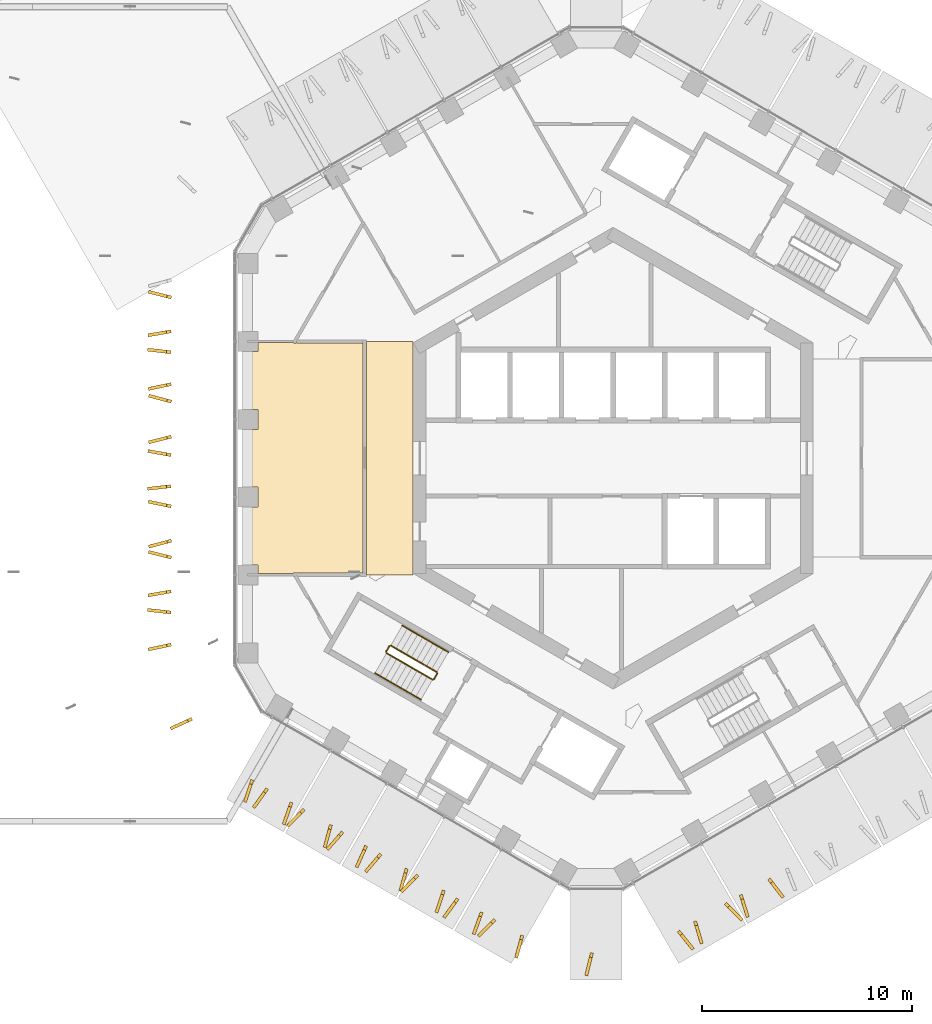
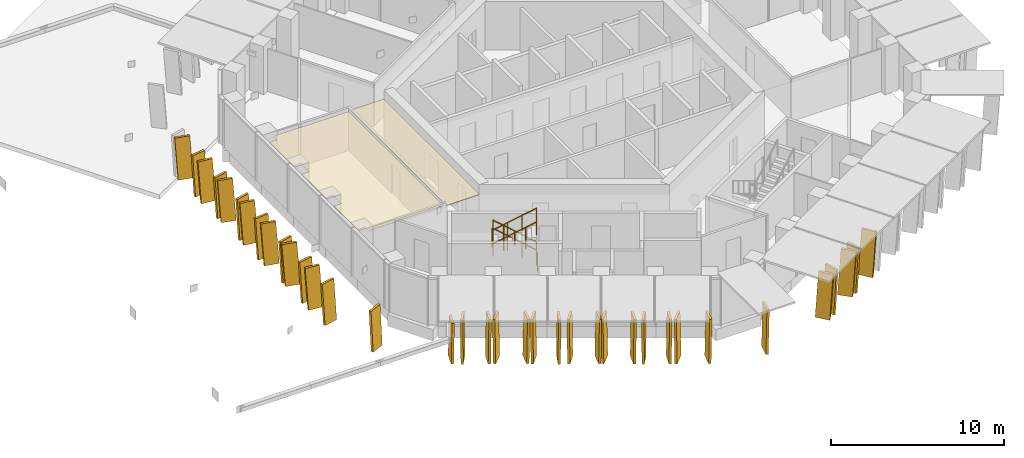
# One storey, part 20 of 23: 36 shading devices, 8 railings, 2 coverings.
"""IFC4 building model written with IfcOpenShell, lengths in metres."""

from ifc_helpers import new_model, si_unit, direction, frame, origin, origin_2d, place, context, subcontext, project, spatial, polyline, circle, outline, extrude, material, layer, layer_set, type_object, element, save


model = new_model("IFC4")

# Units and contexts
model_context = context("Model", 3, precision=1e-05, world=origin(), true_north=direction((0.0, 1.0)))
body_context = subcontext(model_context, "Body", "Model", "MODEL_VIEW")
ifc_project = project(units=[si_unit("LENGTHUNIT", "METRE"), si_unit("AREAUNIT", "SQUARE_METRE"), si_unit("VOLUMEUNIT", "CUBIC_METRE"), si_unit("PLANEANGLEUNIT", "RADIAN"), si_unit("MASSUNIT", "GRAM", prefix="KILO")], contexts=[model_context])

# Site, building, storey
site_placement = place(None, origin())
site = spatial("IfcSite", under=ifc_project, at=site_placement, CompositionType="ELEMENT")
building_placement = place(site_placement, origin())
building = spatial("IfcBuilding", under=site, at=building_placement, Name="Ayvan Gate Tower", CompositionType="ELEMENT")
storey_placement = place(building_placement, frame((0.0, 0.0, 198.699951171875)))
storey = spatial("IfcBuildingStorey", under=building, at=storey_placement, Name="L53", CompositionType="ELEMENT", Elevation=198.699951171875)

# Shading devices
ifc_material_1 = material(Name="Bronze anodised aluminium", Category="aluminium")
ifc_layer_1 = layer(ifc_material_1, 0.14990234375)
ifc_layer_set_1 = layer_set([ifc_layer_1], Name="Bronze anodised aluminium")
shading_device_type = type_object("IfcShadingDeviceType", Name="Bronze fin 900 x 150", PredefinedType="USERDEFINED", material=ifc_layer_set_1)
shading_device_1_placement = place(storey_placement, frame((-20.97607421875, 7.7099609375, 0.0), z_axis=(0.242503674275, 0.970150325552, 0.000560173768), x_axis=(-0.970150477769, 0.242503712313, 1.8422e-08)))
element("IfcShadingDevice", 1, at=shading_device_1_placement, inside=storey, type_object=shading_device_type, Name="Bronze fin FG19.3.18", ObjectType="FIN", PredefinedType="USERDEFINED", context=body_context, shape_type="SweptSolid", body=[
    extrude(outline(polyline([(0.0, 0.0), (0.9001529730922073, 0.0), (1.1141481386595276, 3.000000450167338), (0.2142320187113068, 3.0000004833280673), (0.0, 0.0)])), origin(), (0.0, 0.0, -1.0), 0.14990234375),
])
shading_device_2_placement = place(storey_placement, frame((-21.020263671875, 6.1025390625, 0.0), z_axis=(-0.170511019596, 0.985355645459, 0.000494123776), x_axis=(-0.985355765745, -0.170511040444, 6.6044e-08)))
element("IfcShadingDevice", 2, at=shading_device_2_placement, inside=storey, type_object=shading_device_type, Name="Bronze fin FG19.3.19", ObjectType="FIN", PredefinedType="USERDEFINED", context=body_context, shape_type="SweptSolid", body=[
    extrude(outline(polyline([(0.0, 0.0), (0.89991786758416, 0.0), (1.1139784263390768, 3.0000002926654967), (0.21410218742690018, 3.0000004115318175), (0.0, 0.0)])), origin(), (0.0, 0.0, -1.0), 0.14990234375),
])
shading_device_3_placement = place(storey_placement, frame((-21.005615234375, 5.106689453125, 0.0), z_axis=(0.115282998066, 0.993332562156, 0.000501316806), x_axis=(-0.993332686977, 0.115283012552, 0.0)))
element("IfcShadingDevice", 3, at=shading_device_3_placement, inside=storey, type_object=shading_device_type, Name="Bronze fin FG19.3.20", ObjectType="FIN", PredefinedType="USERDEFINED", context=body_context, shape_type="SweptSolid", body=[
    extrude(outline(polyline([(0.0, 0.0), (0.9000438427842659, 0.0), (1.114188859687679, 3.000000376977881), (0.21414501690341292, 3.000000376977881), (0.0, 0.0)])), origin(), (0.0, 0.0, -1.0), 0.14990234375),
])
shading_device_4_placement = place(storey_placement, frame((-21.016845703125, 3.59375, 0.0), z_axis=(-0.207917122728, 0.978146307313, 0.000521119944), x_axis=(-0.978146440136, -0.207917150924, -6.9136e-08)))
element("IfcShadingDevice", 4, at=shading_device_4_placement, inside=storey, type_object=shading_device_type, Name="Bronze fin FG19.3.21", ObjectType="FIN", PredefinedType="USERDEFINED", context=body_context, shape_type="SweptSolid", body=[
    extrude(outline(polyline([(0.0, 0.0), (0.9000147951025103, 0.0), (1.1140257435260539, 3.000000484367966), (0.21396018740036885, 3.0000003599182605), (0.0, 0.0)])), origin(), (0.0, 0.0, -1.0), 0.14990234375),
])
shading_device_5_placement = place(storey_placement, frame((-20.97216796875, 2.759765625, 0.0), z_axis=(0.256201924523, 0.966623142445, 0.000523793804), x_axis=(-0.966623275035, 0.256201959713, -8.6879e-08)))
element("IfcShadingDevice", 5, at=shading_device_5_placement, inside=storey, type_object=shading_device_type, Name="Bronze fin FG19.3.22", ObjectType="FIN", PredefinedType="USERDEFINED", context=body_context, shape_type="SweptSolid", body=[
    extrude(outline(polyline([(0.0, 0.0), (0.8999486281440824, -2.710505431213761e-20), (1.114177325268719, 3.000000508339138), (0.21405525442070075, 3.000000351949977), (0.0, 0.0)])), origin(), (0.0, 0.0, -1.0), 0.14990234375),
])
shading_device_6_placement = place(storey_placement, frame((-21.012451171875, 1.09716796875, 0.0), z_axis=(-0.24304616287, 0.970014596453, 0.000495361682), x_axis=(-0.970014715465, -0.243046192689, 0.0)))
element("IfcShadingDevice", 6, at=shading_device_6_placement, inside=storey, type_object=shading_device_type, Name="Bronze fin FG19.3.23", ObjectType="FIN", PredefinedType="USERDEFINED", context=body_context, shape_type="SweptSolid", body=[
    extrude(outline(polyline([(0.0, 0.0), (0.9000346706917827, -1.3552527156068805e-20), (1.1140897511676129, 3.000000368074862), (0.21405508047583013, 3.000000368074862), (0.0, 0.0)])), origin(), (0.0, 0.0, -1.0), 0.14990234375),
])
shading_device_7_placement = place(storey_placement, frame((-20.994140625, 0.222900390625, 0.0), z_axis=(0.172663253566, 0.984980791355, 0.000491455826), x_axis=(-0.984980910301, 0.172663274449, -6.5656e-08)))
element("IfcShadingDevice", 7, at=shading_device_7_placement, inside=storey, type_object=shading_device_type, Name="Bronze fin FG19.3.24", ObjectType="FIN", PredefinedType="USERDEFINED", context=body_context, shape_type="SweptSolid", body=[
    extrude(outline(polyline([(0.0, 0.0), (0.9000127419739727, 0.0), (1.1141347769899899, 3.000000435442827), (0.21416418913575583, 3.0000003172633174), (0.0, 0.0)])), origin(), (0.0, 0.0, -1.0), 0.14990234375),
])
shading_device_8_placement = place(storey_placement, frame((-21.02294921875, -1.255126953125, 0.0), z_axis=(-0.112024108168, 0.993705375962, 0.000474314204), x_axis=(-0.993705487741, -0.112024120766, -7.205e-09)))
element("IfcShadingDevice", 8, at=shading_device_8_placement, inside=storey, type_object=shading_device_type, Name="Bronze fin FG19.3.25", ObjectType="FIN", PredefinedType="USERDEFINED", context=body_context, shape_type="SweptSolid", body=[
    extrude(outline(polyline([(0.0, 0.0), (0.9001960129295483, 0.0), (1.1141057283484732, 3.0000003454884436), (0.21415231929776782, 3.0000003325178692), (0.0, 0.0)])), origin(), (0.0, 0.0, -1.0), 0.14990234375),
])
shading_device_9_placement = place(storey_placement, frame((-20.986328125, -2.2158203125, 0.0), z_axis=(0.205757528375, 0.978602878856, 0.000494986432), x_axis=(-0.978602998733, 0.20575755362, -7.9523e-08)))
element("IfcShadingDevice", 9, at=shading_device_9_placement, inside=storey, type_object=shading_device_type, Name="Bronze fin FG19.3.26", ObjectType="FIN", PredefinedType="USERDEFINED", context=body_context, shape_type="SweptSolid", body=[
    extrude(outline(polyline([(0.0, 0.0), (0.8999001463930243, -1.3552527156068805e-20), (1.1141089882047648, 3.0000004561147606), (0.21402015884174225, 3.0000003129741692), (0.0, 0.0)])), origin(), (0.0, 0.0, -1.0), 0.14990234375),
])
shading_device_10_placement = place(storey_placement, frame((-21.0107421875, -3.846923828125, 0.0), z_axis=(-0.255534620617, 0.96679977482, 0.000503064711), x_axis=(-0.966799897156, -0.255534652952, 0.0)))
element("IfcShadingDevice", 10, at=shading_device_10_placement, inside=storey, type_object=shading_device_type, Name="Bronze fin FG19.3.27", ObjectType="FIN", PredefinedType="USERDEFINED", context=body_context, shape_type="SweptSolid", body=[
    extrude(outline(polyline([(0.0, 0.0), (0.8999971866563695, 1.3552527156068805e-20), (1.114031777274746, 3.000000379611228), (0.21403459061837643, 3.000000379611228), (0.0, 0.0)])), origin(), (0.0, 0.0, -1.0), 0.14990234375),
])
shading_device_11_placement = place(storey_placement, frame((-20.9755859375, -4.649169921875, 0.0), z_axis=(0.244385953869, 0.969677896874, 0.000530910656), x_axis=(-0.969678033533, 0.244385988311, 0.0)))
element("IfcShadingDevice", 11, at=shading_device_11_placement, inside=storey, type_object=shading_device_type, Name="Bronze fin FG19.3.28", ObjectType="FIN", PredefinedType="USERDEFINED", context=body_context, shape_type="SweptSolid", body=[
    extrude(outline(polyline([(0.0, 0.0), (0.9000953968140175, 0.0), (1.1142062293675248, 3.000000422799277), (0.21411083255350719, 3.000000422799277), (0.0, 0.0)])), origin(), (0.0, 0.0, -1.0), 0.14990234375),
])
shading_device_12_placement = place(storey_placement, frame((-21.02001953125, -6.251953125, 0.0), z_axis=(-0.174992398446, 0.984569634045, 0.00054424593), x_axis=(-0.984569779861, -0.174992424362, 0.0)))
element("IfcShadingDevice", 12, at=shading_device_12_placement, inside=storey, type_object=shading_device_type, Name="Bronze fin FG19.3.29", ObjectType="FIN", PredefinedType="USERDEFINED", context=body_context, shape_type="SweptSolid", body=[
    extrude(outline(polyline([(0.0, 0.0), (0.8998715441478868, 0.0), (1.1139091267011743, 3.000000444305547), (0.21403758255328764, 3.000000444305547), (0.0, 0.0)])), origin(), (0.0, 0.0, -1.0), 0.14990234375),
])
shading_device_13_placement = place(storey_placement, frame((-21.00634765625, -7.257568359375, 0.0), z_axis=(0.111205483006, 0.993797292038, 0.000531870736), x_axis=(-0.993797432604, 0.111205498736, 0.0)))
element("IfcShadingDevice", 13, at=shading_device_13_placement, inside=storey, type_object=shading_device_type, Name="Bronze fin FG19.3.30", ObjectType="FIN", PredefinedType="USERDEFINED", context=body_context, shape_type="SweptSolid", body=[
    extrude(outline(polyline([(0.0, 0.0), (0.900114269419892, 6.776263578034403e-21), (1.1141550559472158, 3.0000004243298104), (0.2140407865273238, 3.0000004243298104), (0.0, 0.0)])), origin(), (0.0, 0.0, -1.0), 0.14990234375),
])
shading_device_14_placement = place(storey_placement, frame((-21.01708984375, -8.78515625, 0.0), z_axis=(-0.206174515759, 0.978515103085, 0.000511943707), x_axis=(-0.978515231313, -0.206174542777, 0.0)))
element("IfcShadingDevice", 14, at=shading_device_14_placement, inside=storey, type_object=shading_device_type, Name="Bronze fin FG19.3.31", ObjectType="FIN", PredefinedType="USERDEFINED", context=body_context, shape_type="SweptSolid", body=[
    extrude(outline(polyline([(0.0, 0.0), (0.8999504618786536, 0.0), (1.1140965050266454, 3.000000393129616), (0.21414604314799174, 3.000000393129616), (0.0, 0.0)])), origin(), (0.0, 0.0, -1.0), 0.14990234375),
])
shading_device_15_placement = place(storey_placement, frame((-20.04541015625, -12.31787109375, 0.0), z_axis=(-0.413813112584, 0.910361721292, 0.000494226618), x_axis=(-0.910361832462, -0.41381316315, 6.1021e-08)))
element("IfcShadingDevice", 15, at=shading_device_15_placement, inside=storey, type_object=shading_device_type, Name="Bronze fin FG19.4.32", ObjectType="FIN", PredefinedType="USERDEFINED", context=body_context, shape_type="SweptSolid", body=[
    extrude(outline(polyline([(0.0, 0.0), (0.9000618156029717, 2.710505431213761e-20), (1.1141565452178492, 3.0000002984032745), (0.21419575821916215, 3.000000408242092), (0.0, 0.0)])), origin(), (0.0, 0.0, -1.0), 0.14990234375),
])
shading_device_16_placement = place(storey_placement, frame((-17.215576171875, -15.257080078125, 0.0), z_axis=(-0.94783888133, 0.318749480699, 0.000472856766), x_axis=(-0.318749516334, -0.947838987295, 0.0)))
element("IfcShadingDevice", 16, at=shading_device_16_placement, inside=storey, type_object=shading_device_type, Name="Bronze fin FG19.5.33", ObjectType="FIN", PredefinedType="USERDEFINED", context=body_context, shape_type="SweptSolid", body=[
    extrude(outline(polyline([(0.0, 0.0), (0.8999707283452081, 0.0), (1.1140545281236356, 3.0000003353903373), (0.21408379977842737, 3.0000003353903373), (0.0, 0.0)])), origin(), (0.0, 0.0, -1.0), 0.14990234375),
])
shading_device_17_placement = place(storey_placement, frame((-16.5, -15.659423828125, 0.0), z_axis=(-0.812264309943, 0.583289334127, 0.000493444169), x_axis=(-0.583289405139, -0.812264408831, 0.0)))
element("IfcShadingDevice", 17, at=shading_device_17_placement, inside=storey, type_object=shading_device_type, Name="Bronze fin FG19.5.34", ObjectType="FIN", PredefinedType="USERDEFINED", context=body_context, shape_type="SweptSolid", body=[
    extrude(outline(polyline([(0.0, 0.0), (0.8999003567107065, 2.710505431213761e-20), (1.1139447306664922, 3.2800296961975617), (0.2140443739557858, 3.2800296961975617), (0.0, 0.0)])), origin(), (0.0, 0.0, -1.0), 0.14990234375),
])
shading_device_18_placement = place(storey_placement, frame((-15.3583984375, -16.33056640625, 0.0), z_axis=(-0.944027285211, 0.329867005407, 0.000493479179), x_axis=(-0.329867045572, -0.944027400156, 0.0)))
element("IfcShadingDevice", 18, at=shading_device_18_placement, inside=storey, type_object=shading_device_type, Name="Bronze fin FG19.5.35", ObjectType="FIN", PredefinedType="USERDEFINED", context=body_context, shape_type="SweptSolid", body=[
    extrude(outline(polyline([(0.0, 0.0), (0.899983808583738, 0.0), (1.114069530269893, 3.2800296962542284), (0.21408572168615495, 3.2800296962542284), (0.0, 0.0)])), origin(), (0.0, 0.0, -1.0), 0.14990234375),
])
shading_device_19_placement = place(storey_placement, frame((-14.742919921875, -16.63427734375, 0.0), z_axis=(-0.714056801678, 0.70008759929, 0.000487133542), x_axis=(-0.700087682371, -0.714056886384, -4.6257e-08)))
element("IfcShadingDevice", 19, at=shading_device_19_placement, inside=storey, type_object=shading_device_type, Name="Bronze fin FG19.5.36", ObjectType="FIN", PredefinedType="USERDEFINED", context=body_context, shape_type="SweptSolid", body=[
    extrude(outline(polyline([(0.0, 0.0), (0.8999814534087439, 0.0), (1.1140739027276472, 3.2800297375827094), (0.21391811902437605, 3.2800296543138563), (0.0, 0.0)])), origin(), (0.0, 0.0, -1.0), 0.14990234375),
])
shading_device_20_placement = place(storey_placement, frame((-13.485595703125, -17.40283203125, 0.0), z_axis=(-0.964229581462, 0.265068177009, 0.000419250535), x_axis=(-0.265068200304, -0.964229666204, 0.0)))
element("IfcShadingDevice", 20, at=shading_device_20_placement, inside=storey, type_object=shading_device_type, Name="Bronze fin FG19.5.37", ObjectType="FIN", PredefinedType="USERDEFINED", context=body_context, shape_type="SweptSolid", body=[
    extrude(outline(polyline([(0.0, 0.0), (0.8998642249476343, 0.0), (1.1139445493479452, 3.2800295851420707), (0.21408032440031063, 3.2800295851420707), (0.0, 0.0)])), origin(), (0.0, 0.0, -1.0), 0.14990234375),
])
shading_device_21_placement = place(storey_placement, frame((-12.908935546875, -17.709716796875, 0.0), z_axis=(-0.750893699053, 0.660422944489, 0.0004325686), x_axis=(-0.660423006291, -0.750893769292, -4.4053e-08)))
element("IfcShadingDevice", 21, at=shading_device_21_placement, inside=storey, type_object=shading_device_type, Name="Bronze fin FG19.5.38", ObjectType="FIN", PredefinedType="USERDEFINED", context=body_context, shape_type="SweptSolid", body=[
    extrude(outline(polyline([(0.0, 0.0), (0.9000497982712052, 2.710505431213761e-20), (1.1139594391472485, 3.280029652820789), (0.21407087696156346, 3.280029573527827), (0.0, 0.0)])), origin(), (0.0, 0.0, -1.0), 0.14990234375),
])
shading_device_22_placement = place(storey_placement, frame((-11.80419921875, -18.3876953125, 0.0), z_axis=(-0.911989921735, 0.410212334275, 0.000472717973), x_axis=(-0.410212380119, -0.911990023628, -2.6308e-08)))
element("IfcShadingDevice", 22, at=shading_device_22_placement, inside=storey, type_object=shading_device_type, Name="Bronze fin FG19.5.39", ObjectType="FIN", PredefinedType="USERDEFINED", context=body_context, shape_type="SweptSolid", body=[
    extrude(outline(polyline([(0.0, 0.0), (0.8997655244516183, 2.710505431213761e-20), (1.1140093765230195, 3.2800296926640895), (0.21402119825703897, 3.2800296453157602), (0.0, 0.0)])), origin(), (0.0, 0.0, -1.0), 0.14990234375),
])
shading_device_23_placement = place(storey_placement, frame((-11.096923828125, -18.759765625, 0.0), z_axis=(-0.760766924624, 0.649025044786, 0.000421473215), x_axis=(-0.649025102432, -0.760766992195, 0.0)))
element("IfcShadingDevice", 23, at=shading_device_23_placement, inside=storey, type_object=shading_device_type, Name="Bronze fin FG19.5.40", ObjectType="FIN", PredefinedType="USERDEFINED", context=body_context, shape_type="SweptSolid", body=[
    extrude(outline(polyline([(0.0, 0.0), (0.9001632039126481, -5.421010862427522e-20), (1.1143169721345219, 3.2800295882067014), (0.2141537682218736, 3.2800295882067014), (0.0, 0.0)])), origin(), (0.0, 0.0, -1.0), 0.14990234375),
])
shading_device_24_placement = place(storey_placement, frame((-9.884765625, -19.482666015625, 0.0), z_axis=(-0.962616584016, 0.270867312707, 0.000459439799), x_axis=(-0.270867341314, -0.962616685607, -4.3101e-08)))
element("IfcShadingDevice", 24, at=shading_device_24_placement, inside=storey, type_object=shading_device_type, Name="Bronze fin FG19.5.41", ObjectType="FIN", PredefinedType="USERDEFINED", context=body_context, shape_type="SweptSolid", body=[
    extrude(outline(polyline([(0.0, 0.0), (0.9001277078107444, 0.0), (1.1139902263959955, 3.280029691071078), (0.21416366214651106, 3.2800296134919726), (0.0, 0.0)])), origin(), (0.0, 0.0, -1.0), 0.14990234375),
])
shading_device_25_placement = place(storey_placement, frame((-9.33740234375, -19.75341796875, 0.0), z_axis=(-0.710286791405, 0.703912248882, 0.000468859921), x_axis=(-0.703912326267, -0.710286869462, -4.4767e-08)))
element("IfcShadingDevice", 25, at=shading_device_25_placement, inside=storey, type_object=shading_device_type, Name="Bronze fin FG19.5.42", ObjectType="FIN", PredefinedType="USERDEFINED", context=body_context, shape_type="SweptSolid", body=[
    extrude(outline(polyline([(0.0, 0.0), (0.8999471462189941, -2.710505431213761e-20), (1.1141946580801783, 3.280029707277648), (0.21407410198094454, 3.280029626694622), (0.0, 0.0)])), origin(), (0.0, 0.0, -1.0), 0.14990234375),
])
shading_device_26_placement = place(storey_placement, frame((-8.118896484375, -20.508544921875, 0.0), z_axis=(-0.949197353532, 0.314681031751, 0.000481978121), x_axis=(-0.314681068302, -0.949197463783, 0.0)))
element("IfcShadingDevice", 26, at=shading_device_26_placement, inside=storey, type_object=shading_device_type, Name="Bronze fin FG19.5.43", ObjectType="FIN", PredefinedType="USERDEFINED", context=body_context, shape_type="SweptSolid", body=[
    extrude(outline(polyline([(0.0, 0.0), (0.8999687414569008, 0.0), (1.1142128261005648, 3.2800296778552407), (0.214244084643664, 3.2800296778552407), (0.0, 0.0)])), origin(), (0.0, 0.0, -1.0), 0.14990234375),
])
shading_device_27_placement = place(storey_placement, frame((-7.44482421875, -20.8857421875, 0.0), z_axis=(-0.80696085929, 0.590604737157, 0.000464782261), x_axis=(-0.590604800963, -0.80696094644, -3.7239e-08)))
element("IfcShadingDevice", 27, at=shading_device_27_placement, inside=storey, type_object=shading_device_type, Name="Bronze fin FG19.5.44", ObjectType="FIN", PredefinedType="USERDEFINED", context=body_context, shape_type="SweptSolid", body=[
    extrude(outline(polyline([(0.0, 0.0), (0.8998165298850636, 0.0), (1.1140587067522862, 3.280029692642077), (0.21404516491740824, 3.2800296256174954), (0.0, 0.0)])), origin(), (0.0, 0.0, -1.0), 0.14990234375),
])
shading_device_28_placement = place(storey_placement, frame((-6.320556640625, -21.549560546875, 0.0), z_axis=(-0.940901150179, 0.338681010811, 0.000445541583), x_axis=(-0.338681044411, -0.940901243573, 3.6399e-08)))
element("IfcShadingDevice", 28, at=shading_device_28_placement, inside=storey, type_object=shading_device_type, Name="Bronze fin FG19.5.45", ObjectType="FIN", PredefinedType="USERDEFINED", context=body_context, shape_type="SweptSolid", body=[
    extrude(outline(polyline([(0.0, 0.0), (0.8998338515954805, 0.0), (1.1141799413583713, 3.280029581874727), (0.2140336917433636, 3.28002964739248), (0.0, 0.0)])), origin(), (0.0, 0.0, -1.0), 0.14990234375),
])
shading_device_29_placement = place(storey_placement, frame((-5.6796875, -21.8681640625, 0.0), z_axis=(-0.716337278873, 0.697754016763, 0.00048475529), x_axis=(-0.697754098761, -0.716337363023, -4.5885e-08)))
element("IfcShadingDevice", 29, at=shading_device_29_placement, inside=storey, type_object=shading_device_type, Name="Bronze fin FG19.5.46", ObjectType="FIN", PredefinedType="USERDEFINED", context=body_context, shape_type="SweptSolid", body=[
    extrude(outline(polyline([(0.0, 0.0), (0.8998423291975217, 0.0), (1.1139482062188597, 3.2800297333715887), (0.21393098996981882, 3.2800296507854414), (0.0, 0.0)])), origin(), (0.0, 0.0, -1.0), 0.14990234375),
])
shading_device_30_placement = place(storey_placement, frame((-4.39111328125, -22.6533203125, 0.0), z_axis=(-0.96461331997, 0.263668207821, 0.000468103836), x_axis=(-0.263668236708, -0.964613425654, 0.0)))
element("IfcShadingDevice", 30, at=shading_device_30_placement, inside=storey, type_object=shading_device_type, Name="Bronze fin FG19.5.47", ObjectType="FIN", PredefinedType="USERDEFINED", context=body_context, shape_type="SweptSolid", body=[
    extrude(outline(polyline([(0.0, 0.0), (0.9000124188731934, -1.3552527156068805e-20), (1.1139657696515015, 3.2800296562370383), (0.21395335077830793, 3.2800296562370383), (0.0, 0.0)])), origin(), (0.0, 0.0, -1.0), 0.14990234375),
])
shading_device_31_placement = place(storey_placement, frame((-1.083251953125, -23.48681640625, 0.0), z_axis=(-0.970555838408, 0.240875792204, 0.000466112995), x_axis=(-0.240875818371, -0.970555943841, 0.0)))
element("IfcShadingDevice", 31, at=shading_device_31_placement, inside=storey, type_object=shading_device_type, Name="Bronze fin FG19.6.48", ObjectType="FIN", PredefinedType="USERDEFINED", context=body_context, shape_type="SweptSolid", body=[
    extrude(outline(polyline([(0.0, 0.0), (0.9000358627379677, 0.0), (1.1139746339582197, 3.280029653186812), (0.21393877122025218, 3.280029653186812), (0.0, 0.0)])), origin(), (0.0, 0.0, -1.0), 0.14990234375),
])
shading_device_32_placement = place(storey_placement, frame((3.043701171875, -22.51611328125, 0.0), z_axis=(-0.778613910722, -0.627503127352, 0.000450770151), x_axis=(0.627503191104, -0.778613989827, 0.0)))
element("IfcShadingDevice", 32, at=shading_device_32_placement, inside=storey, type_object=shading_device_type, Name="Bronze fin FG19.7.49", ObjectType="FIN", PredefinedType="USERDEFINED", context=body_context, shape_type="SweptSolid", body=[
    extrude(outline(polyline([(0.0, 0.0), (0.8999113847233887, -2.710505431213761e-20), (1.1140088383745717, 3.280029630115743), (0.21409745365118293, 3.280029630115743), (0.0, 0.0)])), origin(), (0.0, 0.0, -1.0), 0.14990234375),
])
shading_device_33_placement = place(storey_placement, frame((3.818603515625, -22.019287109375, 0.0), z_axis=(-0.958975704337, -0.283487867336, 0.000477037294), x_axis=(0.283487899592, -0.958975813452, 0.0)))
element("IfcShadingDevice", 33, at=shading_device_33_placement, inside=storey, type_object=shading_device_type, Name="Bronze fin FG19.7.50", ObjectType="FIN", PredefinedType="USERDEFINED", context=body_context, shape_type="SweptSolid", body=[
    extrude(outline(polyline([(0.0, 0.0), (0.8999571180724122, 0.0), (1.1142708626269036, 3.280029670084308), (0.21431374455449134, 3.280029670084308), (0.0, 0.0)])), origin(), (0.0, 0.0, -1.0), 0.14990234375),
])
shading_device_34_placement = place(storey_placement, frame((5.286865234375, -21.2080078125, 0.0), z_axis=(-0.707445710529, -0.706767560884, 0.000426070797), x_axis=(0.706767625023, -0.707445774755, -4.0886e-08)))
element("IfcShadingDevice", 34, at=shading_device_34_placement, inside=storey, type_object=shading_device_type, Name="Bronze fin FG19.7.51", ObjectType="FIN", PredefinedType="USERDEFINED", context=body_context, shape_type="SweptSolid", body=[
    extrude(outline(polyline([(0.0, 0.0), (0.8999385360710797, 0.0), (1.114348511501569, 3.2800296401582667), (0.2142374247407862, 3.28002956656186), (0.0, 0.0)])), origin(), (0.0, 0.0, -1.0), 0.14990234375),
])
shading_device_35_placement = place(storey_placement, frame((5.992431640625, -20.768798828125, 0.0), z_axis=(-0.95457153797, -0.297981481802, 0.000464113705), x_axis=(0.297981513921, -0.954571640769, 6.0086e-08)))
element("IfcShadingDevice", 35, at=shading_device_35_placement, inside=storey, type_object=shading_device_type, Name="Bronze fin FG19.7.52", ObjectType="FIN", PredefinedType="USERDEFINED", context=body_context, shape_type="SweptSolid", body=[
    extrude(outline(polyline([(0.0, 0.0), (0.9000535370280747, 0.0), (1.1143073854553234, 3.2800295831822486), (0.2143265978202958, 3.280029691339445), (0.0, 0.0)])), origin(), (0.0, 0.0, -1.0), 0.14990234375),
])
shading_device_36_placement = place(storey_placement, frame((7.341064453125, -20.036376953125, 0.0), z_axis=(-0.792649110892, -0.609677918114, 0.000472404459), x_axis=(0.609677986125, -0.792649199353, -5.0793e-08)))
element("IfcShadingDevice", 36, at=shading_device_36_placement, inside=storey, type_object=shading_device_type, Name="Bronze fin FG19.7.53", ObjectType="FIN", PredefinedType="USERDEFINED", context=body_context, shape_type="SweptSolid", body=[
    extrude(outline(polyline([(0.0, 0.0), (0.8999187976883843, 0.0), (1.1140169487771783, 3.2800297194545176), (0.21394930392421296, 3.2800296280282524), (0.0, 0.0)])), origin(), (0.0, 0.0, -1.0), 0.14990234375),
])

# Coverings
ifc_material_2 = material(Name="Plasterboard suspended ceiling")
ifc_layer_2 = layer(ifc_material_2, 0.050048828125)
ifc_layer_set_2 = layer_set([ifc_layer_2], Name="Plasterboard suspended ceiling")
covering_type = type_object("IfcCoveringType", Name="CT-SUSP-50", PredefinedType="CEILING", material=ifc_layer_set_2)
covering_1_placement = place(storey_placement, frame((0.0, 0.0, 2.699951171875)))
element("IfcCovering", 37, at=covering_1_placement, inside=storey, type_object=covering_type, Name="Ceiling Lift Lounge Lobby L53", PredefinedType="CEILING", context=body_context, shape_type="SweptSolid", body=[
    extrude(outline(polyline([(-9.5, -5.538818359375), (-11.724853515625, -5.538818359375), (-11.724853515625, -5.4638671875), (-11.72509765625, 5.538818359375), (-9.5, 5.538818359375), (-9.5, -5.538818359375)])), origin(), (0.0, 0.0, 1.0), 0.050048828125),
])
covering_2_placement = place(storey_placement, frame((0.0, 0.0, 2.699951171875)))
element("IfcCovering", 38, at=covering_2_placement, inside=storey, type_object=covering_type, Name="Ceiling Shared Kitchen L53", PredefinedType="CEILING", context=body_context, shape_type="SweptSolid", body=[
    extrude(outline(polyline([(-16.87890625, -2.32470703125), (-16.87890625, -1.374755859375), (-17.383544921875, -1.374755859375), (-17.383544921875, 1.374755859375), (-16.87890625, 1.374755859375), (-16.87890625, 2.32470703125), (-17.383544921875, 2.32470703125), (-17.383544921875, 5.07421875), (-16.87890625, 5.07421875), (-16.87890625, 5.489013671875), (-15.193115234375, 5.489013671875), (-15.102294921875, 5.4365234375), (-15.054931640625, 5.518798828125), (-15.054931640625, 5.4638671875), (-11.875, 5.4638671875), (-11.875, -5.4638671875), (-15.204833984375, -5.4638671875), (-15.204833984375, -5.489013671875), (-16.87890625, -5.489013671875), (-16.87890625, -5.07421875), (-17.383544921875, -5.07421875), (-17.383544921875, -2.32470703125), (-16.87890625, -2.32470703125)])), origin(), (0.0, 0.0, 1.0), 0.050048828125),
])

# Railings
ifc_material_3 = material(Name="Stainless steel balustrade", Category="steel")
railing_type_1 = type_object("IfcRailingType", Name="RL-GUARD-1100", PredefinedType="GUARDRAIL", material=ifc_material_3)
railing_1_placement = place(storey_placement, frame((-8.381103515625, -10.16650390625, 0.170166015625)))
element("IfcRailing", 39, at=railing_1_placement, inside=storey, type_object=railing_type_1, Name="L53 STS2 stair guard 1", PredefinedType="GUARDRAIL", context=body_context, shape_type="SweptSolid", body=[
    extrude(circle(Radius=0.02392578125, at=origin_2d()), frame((0.0, 0.0, 1.076171875), z_axis=(-0.740292969978, 0.427413806696, 0.51892557891), x_axis=(-0.500004791531, -0.866022637375, 0.0)), (0.0, 0.0, 1.0), 2.947998046875),
    extrude(circle(Radius=0.02099609375, at=origin_2d()), origin(), (0.0, 0.0, 1.0), 1.052001953125),
    extrude(circle(Radius=0.02099609375, at=origin_2d()), frame((-0.7275390625, 0.419921875, 0.510009765625)), (0.0, 0.0, 1.0), 1.052001953125),
    extrude(circle(Radius=0.02099609375, at=origin_2d()), frame((-1.454833984375, 0.840087890625, 1.019775390625)), (0.0, 0.0, 1.0), 1.052001953125),
    extrude(circle(Radius=0.02099609375, at=origin_2d()), frame((-2.182373046875, 1.260009765625, 1.52978515625)), (0.0, 0.0, 1.0), 1.052001953125),
])
railing_2_placement = place(storey_placement, frame((-10.6318359375, -8.9248046875, 1.699951171875)))
element("IfcRailing", 40, at=railing_2_placement, inside=storey, type_object=railing_type_1, Name="L53 STS2 stair guard 2", PredefinedType="GUARDRAIL", context=body_context, shape_type="SweptSolid", body=[
    extrude(circle(Radius=0.02392578125, at=origin_2d()), frame((0.0, 0.0, 1.076171875), z_axis=(-0.499949632511, -0.866054481515, 0.0), x_axis=(0.866054481515, -0.499949632511, 0.0)), (0.0, 0.0, 1.0), 0.31005859375),
    extrude(circle(Radius=0.02099609375, at=origin_2d()), origin(), (0.0, 0.0, 1.0), 1.052001953125),
    extrude(circle(Radius=0.02099609375, at=origin_2d()), frame((-0.155029296875, -0.2685546875, 0.0)), (0.0, 0.0, 1.0), 1.052001953125),
])
railing_3_placement = place(storey_placement, frame((-10.7685546875, -9.261474609375, 1.8701171875)))
element("IfcRailing", 41, at=railing_3_placement, inside=storey, type_object=railing_type_1, Name="L53 STS2 stair guard 3", PredefinedType="GUARDRAIL", context=body_context, shape_type="SweptSolid", body=[
    extrude(circle(Radius=0.02392578125, at=origin_2d()), frame((0.0, 0.0, 1.076171875), z_axis=(0.740261155115, -0.427395438142, 0.518986090067), x_axis=(0.500004791531, 0.866022637375, 0.0)), (0.0, 0.0, 1.0), 2.947998046875),
    extrude(circle(Radius=0.02099609375, at=origin_2d()), origin(), (0.0, 0.0, 1.0), 1.052001953125),
    extrude(circle(Radius=0.02099609375, at=origin_2d()), frame((0.7275390625, -0.419921875, 0.510009765625)), (0.0, 0.0, 1.0), 1.052001953125),
    extrude(circle(Radius=0.02099609375, at=origin_2d()), frame((1.454833984375, -0.840087890625, 1.02001953125)), (0.0, 0.0, 1.0), 1.052001953125),
    extrude(circle(Radius=0.02099609375, at=origin_2d()), frame((2.182373046875, -1.260009765625, 1.530029296875)), (0.0, 0.0, 1.0), 1.052001953125),
])
railing_4_placement = place(storey_placement, frame((-8.36279296875, -10.23486328125, 0.0)))
element("IfcRailing", 42, at=railing_4_placement, inside=storey, type_object=railing_type_1, Name="L53 STS2 stair guard 4", PredefinedType="GUARDRAIL", context=body_context, shape_type="SweptSolid", body=[
    extrude(circle(Radius=0.02392578125, at=origin_2d()), frame((0.0, 0.0, 1.076171875), z_axis=(-0.500290723946, -0.86585748916, 0.0), x_axis=(0.86585748916, -0.500290723946, 0.0)), (0.0, 0.0, 1.0), 0.309814453125),
    extrude(circle(Radius=0.02099609375, at=origin_2d()), origin(), (0.0, 0.0, 1.0), 1.052001953125),
    extrude(circle(Radius=0.02099609375, at=origin_2d()), frame((-0.155029296875, -0.268310546875, 0.0)), (0.0, 0.0, 1.0), 1.052001953125),
])
railing_type_2 = type_object("IfcRailingType", Name="RL-HANDRAIL-900", PredefinedType="HANDRAIL", material=ifc_material_3)
railing_5_placement = place(storey_placement, frame((-7.8310546875, -9.2138671875, 0.170166015625)))
element("IfcRailing", 43, at=railing_5_placement, inside=storey, type_object=railing_type_2, Name="L53 STS2 stair handrail 1", PredefinedType="HANDRAIL", context=body_context, shape_type="SweptSolid", body=[
    extrude(circle(Radius=0.02392578125, at=origin_2d()), frame((0.0, 0.0, 0.8759765625), z_axis=(-0.740356597536, 0.427319915356, 0.518912129772), x_axis=(-0.499890179513, -0.866088799389, 0.0)), (0.0, 0.0, 1.0), 1.47412109375),
    extrude(circle(Radius=0.02099609375, at=origin_2d()), origin(), (0.0, 0.0, 1.0), 0.851806640625),
    extrude(circle(Radius=0.02099609375, at=origin_2d()), frame((-0.545654296875, 0.31494140625, 0.38232421875)), (0.0, 0.0, 1.0), 0.851806640625),
    extrude(circle(Radius=0.02099609375, at=origin_2d()), frame((-1.09130859375, 0.6298828125, 0.764892578125)), (0.0, 0.0, 1.0), 0.851806640625),
])
railing_6_placement = place(storey_placement, frame((-8.92236328125, -8.583984375, 0.93505859375)))
element("IfcRailing", 44, at=railing_6_placement, inside=storey, type_object=railing_type_2, Name="L53 STS2 stair handrail 2", PredefinedType="HANDRAIL", context=body_context, shape_type="SweptSolid", body=[
    extrude(circle(Radius=0.02392578125, at=origin_2d()), frame((0.0, 0.0, 0.8759765625), z_axis=(-0.740229329464, 0.427507697325, 0.518939021976), x_axis=(-0.50011940292, -0.865956455501, 0.0)), (0.0, 0.0, 1.0), 1.473876953125),
    extrude(circle(Radius=0.02099609375, at=origin_2d()), origin(), (0.0, 0.0, 1.0), 0.851806640625),
    extrude(circle(Radius=0.02099609375, at=origin_2d()), frame((-0.54541015625, 0.31494140625, 0.38232421875)), (0.0, 0.0, 1.0), 0.851806640625),
    extrude(circle(Radius=0.02099609375, at=origin_2d()), frame((-1.091064453125, 0.630126953125, 0.764892578125)), (0.0, 0.0, 1.0), 0.851806640625),
])
railing_7_placement = place(storey_placement, frame((-11.318603515625, -10.214111328125, 1.8701171875)))
element("IfcRailing", 45, at=railing_7_placement, inside=storey, type_object=railing_type_2, Name="L53 STS2 stair handrail 3", PredefinedType="HANDRAIL", context=body_context, shape_type="SweptSolid", body=[
    extrude(circle(Radius=0.02392578125, at=origin_2d()), frame((0.0, 0.0, 0.8759765625), z_axis=(0.740304193401, -0.427455284825, 0.518875399983), x_axis=(0.500035496587, 0.86600490885, 0.0)), (0.0, 0.0, 1.0), 1.47412109375),
    extrude(circle(Radius=0.02099609375, at=origin_2d()), origin(), (0.0, 0.0, 1.0), 0.851806640625),
    extrude(circle(Radius=0.02099609375, at=origin_2d()), frame((0.545654296875, -0.31494140625, 0.38232421875)), (0.0, 0.0, 1.0), 0.851806640625),
    extrude(circle(Radius=0.02099609375, at=origin_2d()), frame((1.09130859375, -0.630126953125, 0.764892578125)), (0.0, 0.0, 1.0), 0.851806640625),
])
railing_8_placement = place(storey_placement, frame((-10.227294921875, -10.84423828125, 2.635009765625)))
element("IfcRailing", 46, at=railing_8_placement, inside=storey, type_object=railing_type_2, Name="L53 STS2 stair handrail 4", PredefinedType="HANDRAIL", context=body_context, shape_type="SweptSolid", body=[
    extrude(circle(Radius=0.02392578125, at=origin_2d()), frame((0.0, 0.0, 0.8759765625), z_axis=(0.740292964666, -0.42728318766, 0.519033143459), x_axis=(0.499890179513, 0.866088799389, 0.0)), (0.0, 0.0, 1.0), 1.47412109375),
    extrude(circle(Radius=0.02099609375, at=origin_2d()), origin(), (0.0, 0.0, 1.0), 0.851806640625),
    extrude(circle(Radius=0.02099609375, at=origin_2d()), frame((0.545654296875, -0.31494140625, 0.382568359375)), (0.0, 0.0, 1.0), 0.851806640625),
    extrude(circle(Radius=0.02099609375, at=origin_2d()), frame((1.09130859375, -0.6298828125, 0.76513671875)), (0.0, 0.0, 1.0), 0.851806640625),
])

save(model, "model.ifc")
